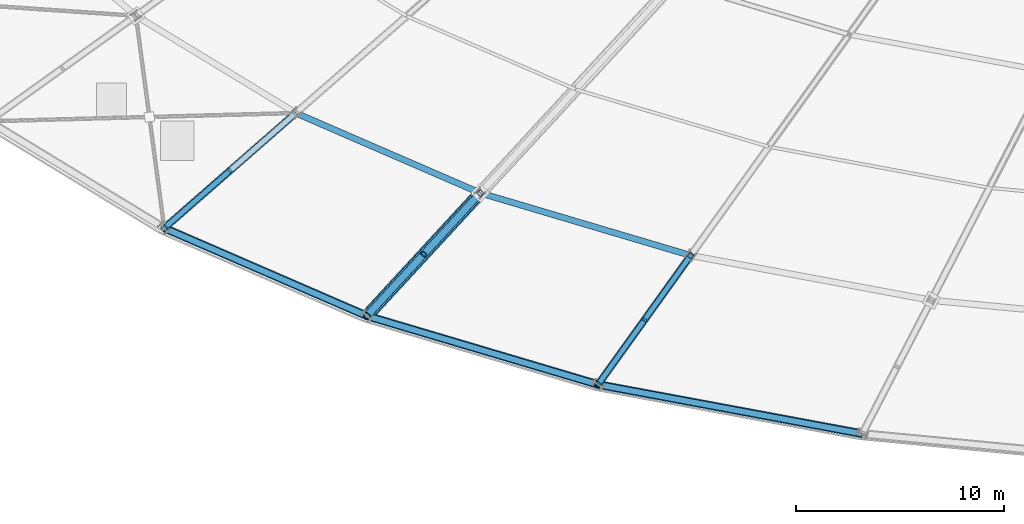
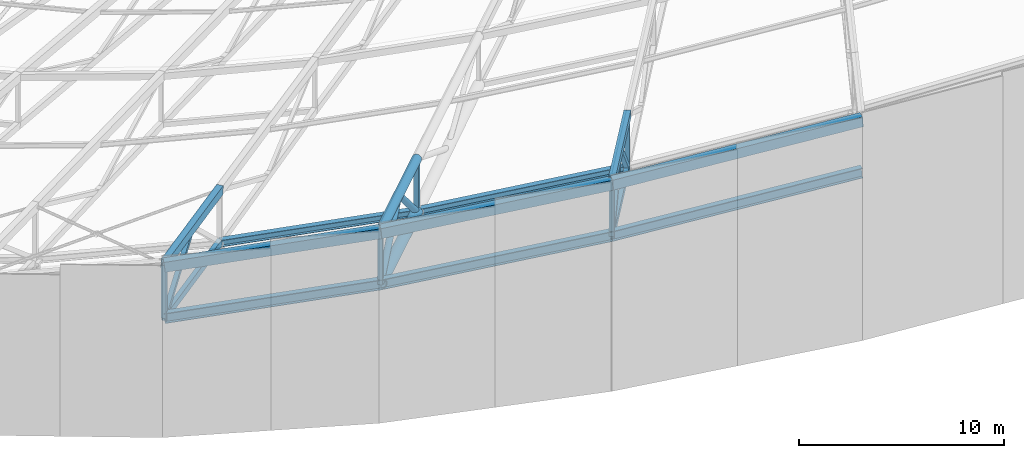
# One storey, part 17 of 143: 14 beams, 10 members.
"""IFC4 building model written with IfcOpenShell, lengths in metres."""

import ifcopenshell
import ifcopenshell.guid

model = None  # the IFC model being written
_history = None  # IfcOwnerHistory: only IFC2X3 demands one
_inside = {}  # id of a spatial element -> (the spatial element, [elements in it])
_under = {}  # id of a project, library or spatial element -> (it, [spatial elements below it])
_declared = {}  # id of a project -> (the project, [libraries it declares])
_typed = {}  # id of a type object -> (the type object, [elements of that type])
_made_of = {}  # id of a material, layer set ... -> (it, [elements and type objects made of it])


def new_model(schema):
    """Start an empty IFC model of exactly this schema.

    Asked for "IFC4X3", IfcOpenShell would pick the latest addendum, in which some entities
    have other attributes; the version numbers below select the first issue.
    IFC2X3 requires an IfcOwnerHistory on every rooted entity: one is made here for all.
    """
    global model, _history
    if schema == "IFC4X3":
        model = ifcopenshell.file(schema_version=(4, 3, 0, 0))
    else:
        model = ifcopenshell.file(schema=schema)
    _inside.clear()
    _under.clear()
    _declared.clear()
    _typed.clear()
    _made_of.clear()
    _history = None
    if model.schema == "IFC2X3":
        org = make("IfcOrganization", Name="unknown")
        user = make(
            "IfcPersonAndOrganization",
            ThePerson=make("IfcPerson", FamilyName="unknown"),
            TheOrganization=org,
        )
        app = make(
            "IfcApplication",
            ApplicationDeveloper=org,
            Version="unknown",
            ApplicationFullName="unknown",
            ApplicationIdentifier="unknown",
        )
        _history = make(
            "IfcOwnerHistory",
            OwningUser=user,
            OwningApplication=app,
            ChangeAction="ADDED",
            CreationDate=0,
        )
    return model


def make(cls, **values):
    """One entity of the class cls with the attributes given. An attribute that is None is left unset."""
    return model.create_entity(
        cls, **{name: value for name, value in values.items() if value is not None}
    )


def rooted(cls, **values):
    """An entity with a GlobalId (a new one), such as an element, a storey or a relation."""
    return make(cls, GlobalId=ifcopenshell.guid.new(), OwnerHistory=_history, **values)


def si_unit(unit_type, name, prefix=None):
    """IfcSIUnit, for example si_unit("LENGTHUNIT", "METRE", prefix="MILLI")."""
    return make("IfcSIUnit", UnitType=unit_type, Prefix=prefix, Name=name)


def assignment(units):
    """IfcUnitAssignment: the units of a project."""
    return None if units is None else make("IfcUnitAssignment", Units=units)


def point(xyz):
    """IfcCartesianPoint."""
    return None if xyz is None else make("IfcCartesianPoint", Coordinates=xyz)


def direction(xyz):
    """IfcDirection."""
    return None if xyz is None else make("IfcDirection", DirectionRatios=xyz)


def frame(location, z_axis=None, x_axis=None):
    """IfcAxis2Placement3D, a coordinate frame: its origin and axes. An axis left out is left unset."""
    return make(
        "IfcAxis2Placement3D",
        Location=point(location),
        Axis=direction(z_axis),
        RefDirection=direction(x_axis),
    )


def frame_2d(location, x_axis=None):
    """IfcAxis2Placement2D, a coordinate frame in the plane: its origin and x axis."""
    return make(
        "IfcAxis2Placement2D", Location=point(location), RefDirection=direction(x_axis)
    )


def origin():
    """The frame at (0, 0, 0) with its axes left unset."""
    return frame((0.0, 0.0, 0.0))


def origin_2d():
    """The frame at (0, 0) in the plane with its x axis left unset."""
    return frame_2d((0.0, 0.0))


def place(relative_to, where):
    """IfcLocalPlacement: puts the frame where relative to a parent placement (None: the world)."""
    return make(
        "IfcLocalPlacement", PlacementRelTo=relative_to, RelativePlacement=where
    )


def context(
    kind, dimensions, precision=None, world=None, true_north=None, identifier=None
):
    """IfcGeometricRepresentationContext, for example the 3D "Model" context."""
    return make(
        "IfcGeometricRepresentationContext",
        ContextIdentifier=identifier,
        ContextType=kind,
        CoordinateSpaceDimension=dimensions,
        Precision=precision,
        WorldCoordinateSystem=world,
        TrueNorth=true_north,
    )


def subcontext(parent, identifier, kind, view, scale=None):
    """IfcGeometricRepresentationSubContext, for example "Body" below "Model"."""
    return make(
        "IfcGeometricRepresentationSubContext",
        ContextIdentifier=identifier,
        ContextType=kind,
        ParentContext=parent,
        TargetScale=scale,
        TargetView=view,
    )


def project(units=None, contexts=None):
    """IfcProject with its units and contexts."""
    return rooted(
        "IfcProject",
        Name="project",
        RepresentationContexts=contexts,
        UnitsInContext=assignment(units),
    )


def spatial(cls, under=None, at=None, **own):
    """A site, building, storey or space (cls), placed at a placement, below another one or the project."""
    s = rooted(cls, ObjectPlacement=at, **own)
    if under is not None:
        _under.setdefault(under.id(), (under, []))[1].append(s)
    return s


def profile(cls, at=None, kind="AREA", **sizes):
    """A parametric profile (cls). Its sizes go by their IFC names, for example OverallWidth=200.0."""
    return make(cls, ProfileType=kind, Position=at, **sizes)


def hollow_rectangle(**sizes):
    """IfcRectangleHollowProfileDef."""
    return profile("IfcRectangleHollowProfileDef", **sizes)


def hollow_circle(**sizes):
    """IfcCircleHollowProfileDef."""
    return profile("IfcCircleHollowProfileDef", **sizes)


def i_section(**sizes):
    """IfcIShapeProfileDef."""
    return profile("IfcIShapeProfileDef", **sizes)


def extrude(swept, where, along, depth):
    """IfcExtrudedAreaSolid: the profile swept, set in the frame where, extruded along a direction by depth."""
    return make(
        "IfcExtrudedAreaSolid",
        SweptArea=swept,
        Position=where,
        ExtrudedDirection=direction(along),
        Depth=depth,
    )


def shape(context_of_items, identifier, shape_type, items):
    """IfcShapeRepresentation: the items that make up one representation, for example the "Body"."""
    return make(
        "IfcShapeRepresentation",
        ContextOfItems=context_of_items,
        RepresentationIdentifier=identifier,
        RepresentationType=shape_type,
        Items=items,
    )


def material(Name=None, Category=None):
    """IfcMaterial."""
    return make("IfcMaterial", Name=Name, Category=Category)


def material_profile(
    of_material, cross_section, Name=None, Category=None, Priority=None
):
    """IfcMaterialProfile: a cross section and its material."""
    return make(
        "IfcMaterialProfile",
        Name=Name,
        Material=of_material,
        Profile=cross_section,
        Priority=Priority,
        Category=Category,
    )


def profile_set(profiles, Name=None, composite=None):
    """IfcMaterialProfileSet."""
    return make(
        "IfcMaterialProfileSet",
        Name=Name,
        MaterialProfiles=profiles,
        CompositeProfile=composite,
    )


def made_of(thing, what):
    """Note that an element or type object is made of a material, layer set ...; save() writes the relation."""
    if what is not None:
        _made_of.setdefault(what.id(), (what, []))[1].append(thing)
    return thing


def type_object(cls, material=None, **own):
    """A type object (cls), such as IfcWallType, which elements share."""
    return made_of(rooted(cls, **own), material)


def element(
    cls,
    number,
    at=None,
    inside=None,
    cuts=None,
    type_object=None,
    material=None,
    context=None,
    identifier="Body",
    shape_type=None,
    held_by="IfcProductDefinitionShape",
    body=None,
    shapes=None,
    **own,
):
    """One element of the class cls, such as IfcWall. Its Tag is "e" and its number.

    at: its placement. inside: the storey or other place that contains it. cuts: it is an
    opening in that element (IfcRelVoidsElement). A single representation is given by context,
    identifier, shape_type and body (its items); several are given by shapes. held_by: the class
    of the entity that holds the representations. save() writes the other relations.
    """
    e = rooted(cls, Tag="e%d" % number, ObjectPlacement=at, **own)
    if body is not None:
        shapes = [shape(context, identifier, shape_type, body)]
    if shapes is not None:
        e.Representation = make(held_by, Representations=shapes)
    if inside is not None:
        _inside.setdefault(inside.id(), (inside, []))[1].append(e)
    if cuts is not None:
        rooted(
            "IfcRelVoidsElement", RelatingBuildingElement=cuts, RelatedOpeningElement=e
        )
    if type_object is not None:
        _typed.setdefault(type_object.id(), (type_object, []))[1].append(e)
    return made_of(e, material)


def aggregate(whole, parts):
    """IfcRelAggregates: a whole, such as a stair, and the parts it consists of."""
    return rooted("IfcRelAggregates", RelatingObject=whole, RelatedObjects=parts)


def save(model, path):
    """Write the relations noted so far, then the file.

    IfcRelAggregates (storeys below a building ...), IfcRelContainedInSpatialStructure (elements
    in a storey), IfcRelDefinesByType, IfcRelAssociatesMaterial and IfcRelDeclares: one each for
    every whole, place, type object, material and project.
    """
    for whole, parts in _under.values():
        aggregate(whole, parts)
    for where, things in _inside.values():
        rooted(
            "IfcRelContainedInSpatialStructure",
            RelatedElements=things,
            RelatingStructure=where,
        )
    for kind, things in _typed.values():
        rooted("IfcRelDefinesByType", RelatedObjects=things, RelatingType=kind)
    for what, things in _made_of.values():
        rooted("IfcRelAssociatesMaterial", RelatedObjects=things, RelatingMaterial=what)
    for by, libraries in _declared.values():
        rooted("IfcRelDeclares", RelatingContext=by, RelatedDefinitions=libraries)
    model.write(path)


model = new_model("IFC4")

# Units and contexts
model_context = context("Model", 3, precision=1e-05, world=origin(), true_north=direction((0.0, 1.0)))
body_context = subcontext(model_context, "Body", "Model", "MODEL_VIEW")
ifc_project = project(units=[si_unit("LENGTHUNIT", "METRE"), si_unit("AREAUNIT", "SQUARE_METRE"), si_unit("VOLUMEUNIT", "CUBIC_METRE"), si_unit("PLANEANGLEUNIT", "RADIAN"), si_unit("MASSUNIT", "GRAM", prefix="KILO")], contexts=[model_context])

# Site, building, storey
site_placement = place(None, origin())
site = spatial("IfcSite", under=ifc_project, at=site_placement, CompositionType="ELEMENT")
building_placement = place(site_placement, origin())
building = spatial("IfcBuilding", under=site, at=building_placement, Name="Mphavela Belvedere Stadium", CompositionType="ELEMENT")
storey_placement = place(building_placement, frame((0.0, 0.0, 28.800048828125)))
storey = spatial("IfcBuildingStorey", under=building, at=storey_placement, Name="RF", CompositionType="ELEMENT", Elevation=28.800048828125)

# Beams
ifc_material_1 = material(Name="Steel S355", Category="steel")
ifc_material_profile_1 = material_profile(ifc_material_1, hollow_rectangle(XDim=0.39990234375, YDim=0.60009765625, WallThickness=0.02001953125, at=origin_2d()), Name="RHS 600x400x20")
ifc_profile_set_1 = profile_set([ifc_material_profile_1], Name="Steel S355")
beam_type_1 = type_object("IfcBeamType", Name="BM-RING-OUT", PredefinedType="BEAM", material=ifc_profile_set_1)
beam_1_placement = place(storey_placement, frame((44.3037109375, 25.13916015625, 10.04833984375), z_axis=(0.9121115164, -0.395403491348, 0.108206564865), x_axis=(0.397738842004, 0.91749867224, 0.0)))
element("IfcBeam", 1, at=beam_1_placement, inside=storey, type_object=beam_type_1, Name="Perimeter compression ring beam RB-OUT-32", PredefinedType="BEAM", context=body_context, shape_type="SweptSolid", body=[
    extrude(hollow_rectangle(XDim=0.39990234375, YDim=0.60009765625, WallThickness=0.02001953125, at=origin_2d()), origin(), (0.0, 0.0, 1.0), 10.69921875),
])
beam_2_placement = place(storey_placement, frame((54.0625, 20.90869140625, 11.2060546875), z_axis=(0.95516666064, -0.283530420158, 0.085247587922), x_axis=(0.284566298727, 0.958656362639, 0.0)))
element("IfcBeam", 2, at=beam_2_placement, inside=storey, type_object=beam_type_1, Name="Perimeter compression ring beam RB-OUT-33", PredefinedType="BEAM", context=body_context, shape_type="SweptSolid", body=[
    extrude(hollow_rectangle(XDim=0.39990234375, YDim=0.60009765625, WallThickness=0.02001953125, at=origin_2d()), origin(), (0.0, 0.0, 1.0), 11.658935546875),
])
beam_3_placement = place(storey_placement, frame((65.19873046875, 17.60302734375, 12.199951171875), z_axis=(0.98139619099, -0.182760004955, 0.058824288339), x_axis=(0.183077029882, 0.983098571421, 0.0)))
element("IfcBeam", 3, at=beam_3_placement, inside=storey, type_object=beam_type_1, Name="Perimeter compression ring beam RB-OUT-34", PredefinedType="BEAM", context=body_context, shape_type="SweptSolid", body=[
    extrude(hollow_rectangle(XDim=0.39990234375, YDim=0.60009765625, WallThickness=0.02001953125, at=origin_2d()), origin(), (0.0, 0.0, 1.0), 12.9697265625),
])
ifc_material_2 = material(Name="Steel S355", Category="steel")
ifc_material_profile_2 = material_profile(ifc_material_2, i_section(OverallWidth=0.300048828125, OverallDepth=0.39990234375, WebThickness=0.013427734375, FlangeThickness=0.02392578125, at=origin_2d()), Name="HEB 400")
ifc_profile_set_2 = profile_set([ifc_material_profile_2], Name="Steel S355")
beam_type_2 = type_object("IfcBeamType", Name="BM-STEEL-HEB400", PredefinedType="BEAM", material=ifc_profile_set_2)
beam_4_placement = place(storey_placement, frame((50.639892578125, 30.68310546875, 5.832275390625), z_axis=(0.912113994664, -0.395396453552, 0.108211391529), x_axis=(0.397731972832, 0.917501650019, 0.0)))
element("IfcBeam", 4, at=beam_4_placement, inside=storey, type_object=beam_type_2, Name="Roof bottom-chord tie girder R3-32", PredefinedType="BEAM", context=body_context, shape_type="SweptSolid", body=[
    extrude(i_section(OverallWidth=0.300048828125, OverallDepth=0.39990234375, WebThickness=0.013427734375, FlangeThickness=0.02392578125, at=origin_2d()), origin(), (0.0, 0.0, 1.0), 9.73974609375),
])
beam_5_placement = place(storey_placement, frame((59.523681640625, 26.83203125, 6.88623046875), z_axis=(0.955164116984, -0.283533798976, 0.085264848933), x_axis=(0.284570111731, 0.958655230784, 0.0)))
element("IfcBeam", 5, at=beam_5_placement, inside=storey, type_object=beam_type_2, Name="Roof bottom-chord tie girder R3-33", PredefinedType="BEAM", context=body_context, shape_type="SweptSolid", body=[
    extrude(i_section(OverallWidth=0.300048828125, OverallDepth=0.39990234375, WebThickness=0.013427734375, FlangeThickness=0.02392578125, at=origin_2d()), origin(), (0.0, 0.0, 1.0), 10.6142578125),
])
ifc_material_3 = material(Name="Steel S355", Category="steel")
ifc_material_profile_3 = material_profile(ifc_material_3, i_section(OverallWidth=0.300048828125, OverallDepth=0.60009765625, WebThickness=0.015380859375, FlangeThickness=0.030029296875, at=origin_2d()), Name="HEB 600")
ifc_profile_set_3 = profile_set([ifc_material_profile_3], Name="Steel S355")
beam_type_3 = type_object("IfcBeamType", Name="BM-STEEL-HEB600", PredefinedType="BEAM", material=ifc_profile_set_3)
beam_6_placement = place(storey_placement, frame((44.3037109375, 25.13916015625, 6.953369140625), z_axis=(0.912113768302, -0.395404467556, 0.108184013197), x_axis=(0.397738842004, 0.91749867224, 0.0)))
element("IfcBeam", 6, at=beam_6_placement, inside=storey, type_object=beam_type_3, Name="Roof bottom-chord tie girder R4-32", PredefinedType="BEAM", context=body_context, shape_type="SweptSolid", body=[
    extrude(i_section(OverallWidth=0.300048828125, OverallDepth=0.60009765625, WebThickness=0.015380859375, FlangeThickness=0.030029296875, at=origin_2d()), origin(), (0.0, 0.0, 1.0), 10.698974609375),
])
beam_7_placement = place(storey_placement, frame((54.0625, 20.90869140625, 8.11083984375), z_axis=(0.955164955365, -0.283529913966, 0.085268375899), x_axis=(0.284566298727, 0.958656362639, 0.0)))
element("IfcBeam", 7, at=beam_7_placement, inside=storey, type_object=beam_type_3, Name="Roof bottom-chord tie girder R4-33", PredefinedType="BEAM", context=body_context, shape_type="SweptSolid", body=[
    extrude(i_section(OverallWidth=0.300048828125, OverallDepth=0.60009765625, WebThickness=0.015380859375, FlangeThickness=0.030029296875, at=origin_2d()), origin(), (0.0, 0.0, 1.0), 11.658935546875),
])
beam_8_placement = place(storey_placement, frame((65.19873046875, 17.60302734375, 9.10498046875), z_axis=(0.98139619099, -0.182760004955, 0.058824288339), x_axis=(0.183077029882, 0.983098571421, 0.0)))
element("IfcBeam", 8, at=beam_8_placement, inside=storey, type_object=beam_type_3, Name="Roof bottom-chord tie girder R4-34", PredefinedType="BEAM", context=body_context, shape_type="SweptSolid", body=[
    extrude(i_section(OverallWidth=0.300048828125, OverallDepth=0.60009765625, WebThickness=0.015380859375, FlangeThickness=0.030029296875, at=origin_2d()), origin(), (0.0, 0.0, 1.0), 12.9697265625),
])
ifc_material_4 = material(Name="Steel S355", Category="steel")
ifc_material_profile_4 = material_profile(ifc_material_4, hollow_circle(Radius=0.304931640625, WallThickness=0.02490234375, at=origin_2d()), Name="CHS 610x25")
ifc_profile_set_4 = profile_set([ifc_material_profile_4], Name="Steel S355")
beam_type_4 = type_object("IfcBeamType", Name="BM-TRUSS-BC1", PredefinedType="BEAM", material=ifc_profile_set_4)
beam_9_placement = place(storey_placement, frame((54.0625, 20.90869140625, 8.11083984375), z_axis=(0.670146051541, 0.726857861437, -0.150272814812), x_axis=(-0.735206448532, 0.67784325477, 0.0)))
element("IfcBeam", 9, at=beam_9_placement, inside=storey, type_object=beam_type_4, Name="Radial roof truss RT-33 bottom chord 1", PredefinedType="BEAM", context=body_context, shape_type="SweptSolid", body=[
    extrude(hollow_circle(Radius=0.304931640625, WallThickness=0.02490234375, at=origin_2d()), origin(), (0.0, 0.0, 1.0), 8.149169921875),
])
ifc_material_5 = material(Name="Steel S355", Category="steel")
ifc_material_profile_5 = material_profile(ifc_material_5, hollow_rectangle(XDim=0.25, YDim=0.39990234375, WallThickness=0.01611328125, at=origin_2d()), Name="RHS 400x250x16")
ifc_profile_set_5 = profile_set([ifc_material_profile_5], Name="Steel S355")
beam_type_5 = type_object("IfcBeamType", Name="BM-TRUSS-BC2", PredefinedType="BEAM", material=ifc_profile_set_5)
beam_10_placement = place(storey_placement, frame((44.3037109375, 25.13916015625, 6.953369140625), z_axis=(0.746004453664, 0.652728745571, -0.131994468895), x_axis=(-0.658490236978, 0.752589268993, 0.0)))
element("IfcBeam", 10, at=beam_10_placement, inside=storey, type_object=beam_type_5, Name="Radial roof truss RT-32 bottom chord 1", PredefinedType="BEAM", context=body_context, shape_type="SweptSolid", body=[
    extrude(hollow_rectangle(XDim=0.25, YDim=0.39990234375, WallThickness=0.01611328125, at=origin_2d()), origin(), (0.0, 0.0, 1.0), 8.493408203125),
])
beam_11_placement = place(storey_placement, frame((65.19873046875, 17.60302734375, 9.10498046875), z_axis=(0.574643665793, 0.800735553335, -0.169136722767), x_axis=(-0.812440713385, 0.583043812448, 0.0)))
element("IfcBeam", 11, at=beam_11_placement, inside=storey, type_object=beam_type_5, Name="Radial roof truss RT-34 bottom chord 1", PredefinedType="BEAM", context=body_context, shape_type="SweptSolid", body=[
    extrude(hollow_rectangle(XDim=0.25, YDim=0.39990234375, WallThickness=0.01611328125, at=origin_2d()), origin(), (0.0, 0.0, 1.0), 7.76708984375),
])
ifc_material_6 = material(Name="Steel S355", Category="steel")
ifc_material_profile_6 = material_profile(ifc_material_6, hollow_circle(Radius=0.25390625, WallThickness=0.02490234375, at=origin_2d()), Name="CHS 508x25")
ifc_profile_set_6 = profile_set([ifc_material_profile_6], Name="Steel S355")
beam_type_6 = type_object("IfcBeamType", Name="BM-TRUSS-TC1", PredefinedType="BEAM", material=ifc_profile_set_6)
beam_12_placement = place(storey_placement, frame((54.0625, 20.90869140625, 11.260986328125), z_axis=(0.670143034278, 0.726854588835, -0.150302096785), x_axis=(-0.735206448532, 0.67784325477, 0.0)))
element("IfcBeam", 12, at=beam_12_placement, inside=storey, type_object=beam_type_6, Name="Radial roof truss RT-33 top chord 1", PredefinedType="BEAM", context=body_context, shape_type="SweptSolid", body=[
    extrude(hollow_circle(Radius=0.25390625, WallThickness=0.02490234375, at=origin_2d()), origin(), (0.0, 0.0, 1.0), 8.149169921875),
])
ifc_material_7 = material(Name="Steel S355", Category="steel")
ifc_material_profile_7 = material_profile(ifc_material_7, hollow_rectangle(XDim=0.35009765625, YDim=0.5, WallThickness=0.02001953125, at=origin_2d()), Name="RHS 500x350x20")
ifc_profile_set_7 = profile_set([ifc_material_profile_7], Name="Steel S355")
beam_type_7 = type_object("IfcBeamType", Name="BM-TRUSS-TC2", PredefinedType="BEAM", material=ifc_profile_set_7)
beam_13_placement = place(storey_placement, frame((44.3037109375, 25.13916015625, 10.103271484375), z_axis=(0.746004453664, 0.652728745571, -0.131994468895), x_axis=(-0.658490236978, 0.752589268993, 0.0)))
element("IfcBeam", 13, at=beam_13_placement, inside=storey, type_object=beam_type_7, Name="Radial roof truss RT-32 top chord 1", PredefinedType="BEAM", context=body_context, shape_type="SweptSolid", body=[
    extrude(hollow_rectangle(XDim=0.35009765625, YDim=0.5, WallThickness=0.02001953125, at=origin_2d()), origin(), (0.0, 0.0, 1.0), 8.493408203125),
])
beam_14_placement = place(storey_placement, frame((65.19873046875, 17.60302734375, 12.255126953125), z_axis=(0.574640610532, 0.800731295991, -0.169167255545), x_axis=(-0.812440713385, 0.583043812448, 0.0)))
element("IfcBeam", 14, at=beam_14_placement, inside=storey, type_object=beam_type_7, Name="Radial roof truss RT-34 top chord 1", PredefinedType="BEAM", context=body_context, shape_type="SweptSolid", body=[
    extrude(hollow_rectangle(XDim=0.35009765625, YDim=0.5, WallThickness=0.02001953125, at=origin_2d()), origin(), (0.0, 0.0, 1.0), 7.767333984375),
])

# Members
ifc_material_8 = material(Name="Steel S355", Category="steel")
ifc_material_profile_8 = material_profile(ifc_material_8, hollow_circle(Radius=0.177734375, WallThickness=0.01611328125, at=origin_2d()), Name="CHS 355.6x16")
ifc_profile_set_8 = profile_set([ifc_material_profile_8], Name="Steel S355")
member_type_1 = type_object("IfcMemberType", Name="MEM-DIAG-355", PredefinedType="BRACE", material=ifc_profile_set_8)
member_1_placement = place(storey_placement, frame((54.0625, 20.90869140625, 8.11083984375), z_axis=(0.573551566915, 0.622061158538, 0.532990164194), x_axis=(-0.735191347118, 0.677859633791, 0.0)))
element("IfcMember", 15, at=member_1_placement, inside=storey, type_object=member_type_1, Name="Radial roof truss RT-33 web diagonal D1", PredefinedType="BRACE", context=body_context, shape_type="SweptSolid", body=[
    extrude(hollow_circle(Radius=0.177734375, WallThickness=0.01611328125, at=origin_2d()), origin(), (0.0, 0.0, 1.0), 4.760986328125),
])
member_2_placement = place(storey_placement, frame((56.793212890625, 23.870361328125, 10.6484375), z_axis=(0.495376163625, 0.537321909954, -0.682559610287), x_axis=(-0.735221550202, 0.677826874739, 0.0)))
element("IfcMember", 16, at=member_2_placement, inside=storey, type_object=member_type_1, Name="Radial roof truss RT-33 web diagonal D2", PredefinedType="BRACE", context=body_context, shape_type="SweptSolid", body=[
    extrude(hollow_circle(Radius=0.177734375, WallThickness=0.01611328125, at=origin_2d()), origin(), (0.0, 0.0, 1.0), 5.511962890625),
])
ifc_material_9 = material(Name="Steel S355", Category="steel")
ifc_material_profile_9 = material_profile(ifc_material_9, hollow_rectangle(XDim=0.25, YDim=0.25, WallThickness=0.012451171875, at=origin_2d()), Name="SHS 250x250x12.5")
ifc_profile_set_9 = profile_set([ifc_material_profile_9], Name="Steel S355")
member_type_2 = type_object("IfcMemberType", Name="MEM-POST-SHS250", PredefinedType="POST", material=ifc_profile_set_9)
member_3_placement = place(storey_placement, frame((44.3037109375, 25.13916015625, 6.953369140625), z_axis=(0.0, 0.0, 1.0), x_axis=(-0.752529860433, -0.658558128912, 0.0)))
element("IfcMember", 17, at=member_3_placement, inside=storey, type_object=member_type_2, Name="Radial roof truss RT-32 post P1", PredefinedType="POST", context=body_context, shape_type="SweptSolid", body=[
    extrude(hollow_rectangle(XDim=0.25, YDim=0.25, WallThickness=0.012451171875, at=origin_2d()), origin(), (0.0, 0.0, 1.0), 3.14990234375),
])
member_4_placement = place(storey_placement, frame((44.3037109375, 25.13916015625, 6.953369140625), z_axis=(0.641013210253, 0.560886558971, 0.523935427554), x_axis=(-0.658504607869, 0.752576694707, 0.0)))
element("IfcMember", 18, at=member_4_placement, inside=storey, type_object=member_type_2, Name="Radial roof truss RT-32 web diagonal D1", PredefinedType="POST", context=body_context, shape_type="SweptSolid", body=[
    extrude(hollow_rectangle(XDim=0.25, YDim=0.25, WallThickness=0.012451171875, at=origin_2d()), origin(), (0.0, 0.0, 1.0), 4.942138671875),
])
member_5_placement = place(storey_placement, frame((54.0625, 20.90869140625, 8.11083984375), z_axis=(0.0, 0.0, 1.0), x_axis=(-0.677903094969, -0.735151272753, 0.0)))
element("IfcMember", 19, at=member_5_placement, inside=storey, type_object=member_type_2, Name="Radial roof truss RT-33 post P1", PredefinedType="POST", context=body_context, shape_type="SweptSolid", body=[
    extrude(hollow_rectangle(XDim=0.25, YDim=0.25, WallThickness=0.012451171875, at=origin_2d()), origin(), (0.0, 0.0, 1.0), 3.150146484375),
])
member_6_placement = place(storey_placement, frame((59.523681640625, 26.83203125, 6.88623046875), z_axis=(0.0, 0.0, 1.0), x_axis=(-0.677903094969, -0.735151272753, 0.0)))
element("IfcMember", 20, at=member_6_placement, inside=storey, type_object=member_type_2, Name="Radial roof truss RT-33 post P2", PredefinedType="POST", context=body_context, shape_type="SweptSolid", body=[
    extrude(hollow_rectangle(XDim=0.25, YDim=0.25, WallThickness=0.012451171875, at=origin_2d()), origin(), (0.0, 0.0, 1.0), 3.14990234375),
])
member_7_placement = place(storey_placement, frame((65.19873046875, 17.60302734375, 9.10498046875), z_axis=(0.0, 0.0, 1.0), x_axis=(-0.582974127943, -0.812490717577, 0.0)))
element("IfcMember", 21, at=member_7_placement, inside=storey, type_object=member_type_2, Name="Radial roof truss RT-34 post P1", PredefinedType="POST", context=body_context, shape_type="SweptSolid", body=[
    extrude(hollow_rectangle(XDim=0.25, YDim=0.25, WallThickness=0.012451171875, at=origin_2d()), origin(), (0.0, 0.0, 1.0), 3.150146484375),
])
member_8_placement = place(storey_placement, frame((69.662109375, 23.822509765625, 7.791259765625), z_axis=(0.0, 0.0, 1.0), x_axis=(-0.582974127943, -0.812490717577, 0.0)))
element("IfcMember", 22, at=member_8_placement, inside=storey, type_object=member_type_2, Name="Radial roof truss RT-34 post P2", PredefinedType="POST", context=body_context, shape_type="SweptSolid", body=[
    extrude(hollow_rectangle(XDim=0.25, YDim=0.25, WallThickness=0.012451171875, at=origin_2d()), origin(), (0.0, 0.0, 1.0), 3.14990234375),
])
member_9_placement = place(storey_placement, frame((65.19873046875, 17.60302734375, 9.10498046875), z_axis=(0.488537586903, 0.680778009186, 0.545776811886), x_axis=(-0.812451554227, 0.583028706012, 0.0)))
element("IfcMember", 23, at=member_9_placement, inside=storey, type_object=member_type_2, Name="Radial roof truss RT-34 web diagonal D1", PredefinedType="POST", context=body_context, shape_type="SweptSolid", body=[
    extrude(hollow_rectangle(XDim=0.25, YDim=0.25, WallThickness=0.012451171875, at=origin_2d()), origin(), (0.0, 0.0, 1.0), 4.568115234375),
])
member_10_placement = place(storey_placement, frame((67.430419921875, 20.712890625, 11.59814453125), z_axis=(0.413399603388, 0.576027868762, -0.705189805888), x_axis=(-0.812429871701, 0.583058919465, 0.0)))
element("IfcMember", 24, at=member_10_placement, inside=storey, type_object=member_type_2, Name="Radial roof truss RT-34 web diagonal D2", PredefinedType="POST", context=body_context, shape_type="SweptSolid", body=[
    extrude(hollow_rectangle(XDim=0.25, YDim=0.25, WallThickness=0.012451171875, at=origin_2d()), origin(), (0.0, 0.0, 1.0), 5.3984375),
])

save(model, "model.ifc")
